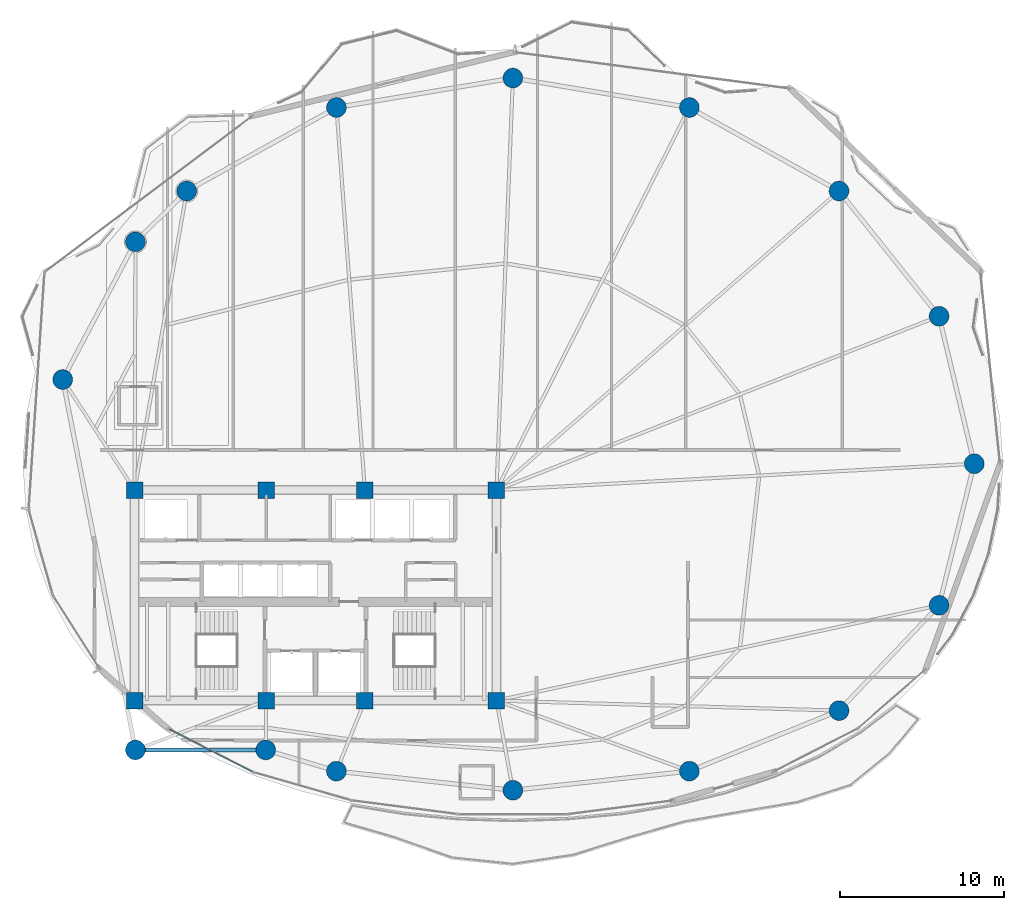
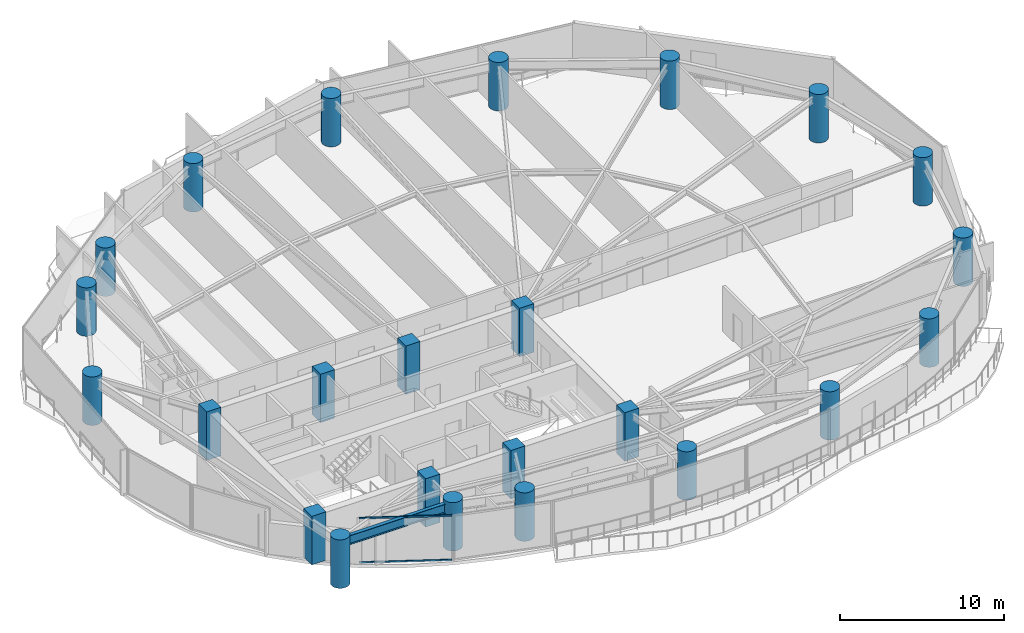
# One storey, part 1 of 30: 24 columns, 2 members, 1 beam, 1 element without a shape of its own.
"""IFC4 building model written with IfcOpenShell, lengths in metres."""

from ifc_helpers import new_model, si_unit, direction, frame, origin, origin_2d, place, context, subcontext, project, spatial, rectangle, hollow_rectangle, circle, i_section, extrude, material, layer, layer_set, material_profile, profile_set, type_object, element, aggregate, save


model = new_model("IFC4")

# Units and contexts
model_context = context("Model", 3, precision=1e-05, world=origin(), true_north=direction((0.0, 1.0)))
body_context = subcontext(model_context, "Body", "Model", "MODEL_VIEW")
ifc_project = project(units=[si_unit("LENGTHUNIT", "METRE"), si_unit("AREAUNIT", "SQUARE_METRE"), si_unit("VOLUMEUNIT", "CUBIC_METRE"), si_unit("PLANEANGLEUNIT", "RADIAN"), si_unit("MASSUNIT", "GRAM", prefix="KILO")], contexts=[model_context])

# Site, building, storey
site_placement = place(None, origin())
site = spatial("IfcSite", under=ifc_project, at=site_placement, CompositionType="ELEMENT")
building_placement = place(site_placement, origin())
building = spatial("IfcBuilding", under=site, at=building_placement, Name="Kazevale Care Tower and Concert Hall", CompositionType="ELEMENT")
storey_placement = place(building_placement, frame((0.0, 0.0, 113.39990234375)))
storey = spatial("IfcBuildingStorey", under=building, at=storey_placement, Name="L29", CompositionType="ELEMENT", Elevation=113.39990234375)

# Columns
ifc_material_1 = material(Name="Concrete C60", Category="concrete")
ifc_material_profile_1 = material_profile(ifc_material_1, rectangle(XDim=1.0, YDim=1.0, at=origin_2d()), Name="RC-SQ1000")
ifc_profile_set_1 = profile_set([ifc_material_profile_1], Name="Concrete C60")
column_type_1 = type_object("IfcColumnType", Name="Core Column SQ1000 C60", PredefinedType="COLUMN", material=ifc_profile_set_1)
for number, where, z_axis, x_axis, name in (
    (1, (22.0, 23.60009765625, 0.0), (0.0, 0.0, 1.0), (1.0, 0.0, 0.0), "col:L29:CC-01"),
    (2, (30.0, 23.60009765625, 0.0), (0.0, 0.0, 1.0), (1.0, 0.0, 0.0), "col:L29:CC-02"),
    (3, (36.0, 23.60009765625, 0.0), (0.0, 0.0, 1.0), (1.0, 0.0, 0.0), "col:L29:CC-03"),
    (4, (44.0, 23.60009765625, 0.0), (0.0, 0.0, 1.0), (1.0, 0.0, 0.0), "col:L29:CC-04"),
    (5, (44.0, 36.39990234375, 0.0), (0.0, 0.0, 1.0), (1.0, 0.0, 0.0), "col:L29:CC-05"),
    (6, (36.0, 36.39990234375, 0.0), (0.0, 0.0, 1.0), (1.0, 0.0, 0.0), "col:L29:CC-06"),
    (7, (30.0, 36.39990234375, 0.0), (0.0, 0.0, 1.0), (1.0, 0.0, 0.0), "col:L29:CC-07"),
    (8, (22.0, 36.39990234375, 0.0), (0.0, 0.0, 1.0), (1.0, 0.0, 0.0), "col:L29:CC-08"),
):
    element("IfcColumn", number, at=place(storey_placement, frame(where, z_axis=z_axis, x_axis=x_axis)), inside=storey, type_object=column_type_1, Name=name, PredefinedType="COLUMN", context=body_context, shape_type="SweptSolid", body=[
        extrude(rectangle(XDim=1.0, YDim=1.0, at=origin_2d()), origin(), (0.0, 0.0, 1.0), 3.60009765625),
    ])
ifc_material_profile_2 = material_profile(ifc_material_1, circle(Radius=0.60009765625, at=origin_2d()), Name="RC-CIR1200")
ifc_profile_set_2 = profile_set([ifc_material_profile_2], Name="Concrete C60")
column_type_2 = type_object("IfcColumnType", Name="Perimeter Column CIR1200 C60", PredefinedType="COLUMN", material=ifc_profile_set_2)
for number, where, z_axis, x_axis, name in (
    (9, (73.050048828125, 38.0, 0.0), (0.0, 0.0, 1.0), (1.0, 0.0, 0.0), "col:L29:PC-01"),
    (10, (70.909912109375, 46.969970703125, 0.0), (0.0, 0.0, 1.0), (1.0, 0.0, 0.0), "col:L29:PC-02"),
    (11, (64.830078125, 54.580078125, 0.0), (0.0, 0.0, 1.0), (1.0, 0.0, 0.0), "col:L29:PC-03"),
    (12, (55.72998046875, 59.659912109375, 0.0), (0.0, 0.0, 1.0), (1.0, 0.0, 0.0), "col:L29:PC-04"),
    (13, (45.0, 61.449951171875, 0.0), (0.0, 0.0, 1.0), (1.0, 0.0, 0.0), "col:L29:PC-05"),
    (14, (34.27001953125, 59.659912109375, 0.0), (0.0, 0.0, 1.0), (1.0, 0.0, 0.0), "col:L29:PC-06"),
    (15, (25.169921875, 54.580078125, 0.0), (0.0, 0.0, 1.0), (1.0, 0.0, 0.0), "col:L29:PC-07"),
    (16, (22.050048828125, 51.489990234375, 0.0), (0.0, 0.0, 1.0), (1.0, 0.0, 0.0), "col:L29:PC-08"),
    (17, (17.6298828125, 43.1201171875, 0.0), (0.0, 0.0, 1.0), (1.0, 0.0, 0.0), "col:L29:PC-09"),
    (18, (22.050048828125, 20.60009765625, 0.0), (0.0, 0.0, 1.0), (1.0, 0.0, 0.0), "col:L29:PC-10"),
    (19, (29.969970703125, 20.60009765625, 0.0), (0.0, 0.0, 1.0), (1.0, 0.0, 0.0), "col:L29:PC-11"),
    (20, (34.27001953125, 19.31005859375, 0.0), (0.0, 0.0, 1.0), (1.0, 0.0, 0.0), "col:L29:PC-12"),
    (21, (45.0, 18.14990234375, 0.0), (0.0, 0.0, 1.0), (1.0, 0.0, 0.0), "col:L29:PC-13"),
    (22, (55.72998046875, 19.31005859375, 0.0), (0.0, 0.0, 1.0), (1.0, 0.0, 0.0), "col:L29:PC-14"),
    (23, (64.830078125, 22.989990234375, 0.0), (0.0, 0.0, 1.0), (1.0, 0.0, 0.0), "col:L29:PC-15"),
    (24, (70.909912109375, 29.389892578125, 0.0), (0.0, 0.0, 1.0), (1.0, 0.0, 0.0), "col:L29:PC-16"),
):
    element("IfcColumn", number, at=place(storey_placement, frame(where, z_axis=z_axis, x_axis=x_axis)), inside=storey, type_object=column_type_2, Name=name, PredefinedType="COLUMN", context=body_context, shape_type="SweptSolid", body=[
        extrude(circle(Radius=0.60009765625, at=origin_2d()), origin(), (0.0, 0.0, 1.0), 3.60009765625),
    ])

# Curtain wall, members
ifc_material_2 = material(Name="Aluminium 6063-T6 and Low-E Glass", Category="aluminium")
ifc_layer = layer(ifc_material_2, 0.179931640625)
ifc_layer_set = layer_set([ifc_layer], Name="Aluminium 6063-T6 and Low-E Glass")
curtain_wall_type = type_object("IfcCurtainWallType", Name="Sheltered Concave Balcony Curtain Wall CW-5", PredefinedType="NOTDEFINED", material=ifc_layer_set)
curtain_wall_placement = place(storey_placement, origin())
curtain_wall = element("IfcCurtainWall", 25, at=curtain_wall_placement, inside=storey, type_object=curtain_wall_type, Name="cw:L29:f09", PredefinedType="NOTDEFINED")
ifc_material_3 = material(Name="Aluminium 6063-T6", Category="aluminium")
ifc_material_profile_3 = material_profile(ifc_material_3, hollow_rectangle(XDim=0.074951171875, YDim=0.1201171875, WallThickness=0.00390625, at=origin_2d()), Name="ALU75x120x4")
ifc_profile_set_3 = profile_set([ifc_material_profile_3], Name="Aluminium 6063-T6")
member_type = type_object("IfcMemberType", Name="CW-5 Transom ALU75x120x4", PredefinedType="USERDEFINED", material=ifc_profile_set_3)
member_1_placement = place(storey_placement, frame((29.144287109375, 19.279296875, 0.03759765625), z_axis=(-0.890142600475, 0.455682072084, 0.0), x_axis=(-0.455682072084, -0.890142600475, 0.0)))
member_1 = element("IfcMember", 26, at=member_1_placement, type_object=member_type, Name="CW-5 transom 1.1", ObjectType="TRANSOM", PredefinedType="USERDEFINED", context=body_context, shape_type="SweptSolid", body=[
    extrude(hollow_rectangle(XDim=0.074951171875, YDim=0.1201171875, WallThickness=0.00390625, at=origin_2d()), origin(), (0.0, 0.0, 1.0), 5.671630859375),
])
member_2_placement = place(storey_placement, frame((29.144287109375, 19.279296875, 3.322509765625), z_axis=(-0.890142600475, 0.455682072084, 0.0), x_axis=(-0.455682072084, -0.890142600475, 0.0)))
member_2 = element("IfcMember", 27, at=member_2_placement, type_object=member_type, Name="CW-5 transom 1.2", ObjectType="TRANSOM", PredefinedType="USERDEFINED", context=body_context, shape_type="SweptSolid", body=[
    extrude(hollow_rectangle(XDim=0.074951171875, YDim=0.1201171875, WallThickness=0.00390625, at=origin_2d()), origin(), (0.0, 0.0, 1.0), 5.671630859375),
])
aggregate(curtain_wall, [member_1, member_2])

# Beam
ifc_material_4 = material(Name="Steel ASTM A572 Gr 50", Category="steel")
ifc_material_profile_4 = material_profile(ifc_material_4, i_section(OverallWidth=0.256103515625, OverallDepth=0.693115234375, WebThickness=0.014404296875, FlangeThickness=0.023681640625, at=origin_2d()), Name="W690x170")
ifc_profile_set_4 = profile_set([ifc_material_profile_4], Name="Steel ASTM A572 Gr 50")
beam_type = type_object("IfcBeamType", Name="Waist Ring Beam W690x170", PredefinedType="BEAM", material=ifc_profile_set_4)
beam_placement = place(storey_placement, frame((22.050048828125, 20.60009765625, 3.013671875), z_axis=(1.0, 0.0, 0.0), x_axis=(0.0, 1.0, 0.0)))
element("IfcBeam", 28, at=beam_placement, inside=storey, type_object=beam_type, Name="beam:L29:ring:10", PredefinedType="BEAM", context=body_context, shape_type="SweptSolid", body=[
    extrude(i_section(OverallWidth=0.256103515625, OverallDepth=0.693115234375, WebThickness=0.014404296875, FlangeThickness=0.023681640625, at=origin_2d()), origin(), (0.0, 0.0, 1.0), 7.919921875),
])

save(model, "model.ifc")
